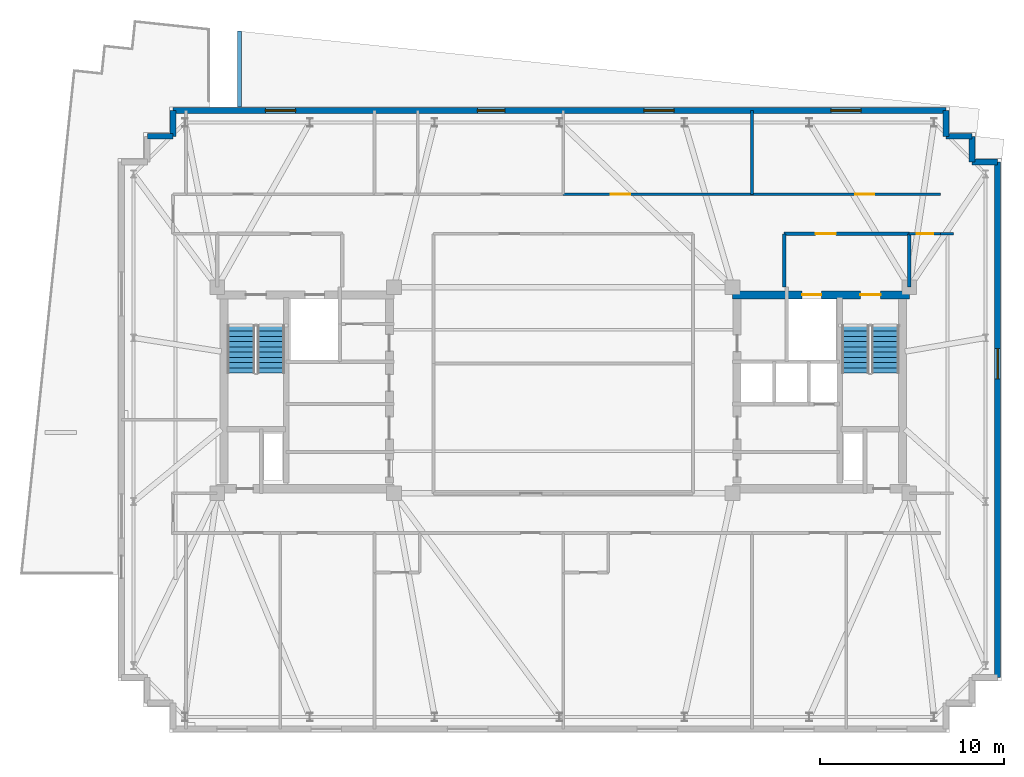
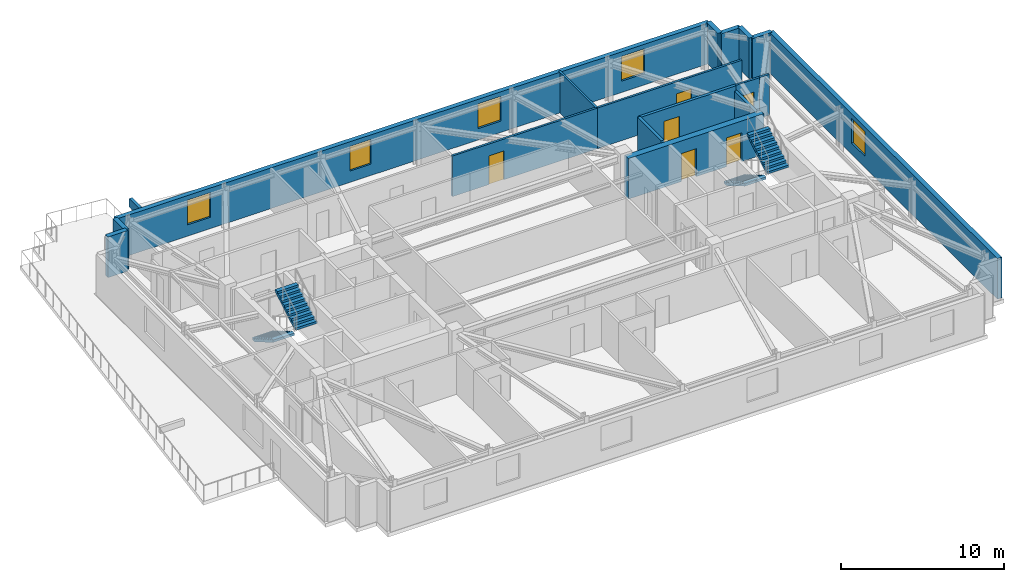
# One storey, part 8 of 12: 18 walls, 6 doors, 5 windows, 4 stair flights, 11 openings, 2 elements without a shape of their own.
"""IFC4 building model written with IfcOpenShell, lengths in metres."""

from ifc_helpers import new_model, si_unit, direction, frame, frame_2d, origin, place, context, subcontext, project, spatial, polyline, rectangle, outline, extrude, material, layer, layer_set, type_object, element, fill, aggregate, save


model = new_model("IFC4")

# Units and contexts
model_context = context("Model", 3, precision=1e-05, world=origin(), true_north=direction((0.0, 1.0)))
body_context = subcontext(model_context, "Body", "Model", "MODEL_VIEW")
ifc_project = project(units=[si_unit("LENGTHUNIT", "METRE"), si_unit("AREAUNIT", "SQUARE_METRE"), si_unit("VOLUMEUNIT", "CUBIC_METRE"), si_unit("PLANEANGLEUNIT", "RADIAN"), si_unit("MASSUNIT", "GRAM", prefix="KILO")], contexts=[model_context])

# Site, building, storey
site_placement = place(None, origin())
site = spatial("IfcSite", under=ifc_project, at=site_placement, CompositionType="ELEMENT")
building_placement = place(site_placement, origin())
building = spatial("IfcBuilding", under=site, at=building_placement, Name="Qobustan Lattice House", CompositionType="ELEMENT")
storey_placement = place(building_placement, frame((0.0, 0.0, 228.300048828125)))
storey = spatial("IfcBuildingStorey", under=building, at=storey_placement, Name="L64", CompositionType="ELEMENT", Elevation=228.300048828125)

# Wall, openings, doors
ifc_material_1 = material(Name="Concrete C50/60", Category="concrete")
ifc_layer_1 = layer(ifc_material_1, 0.43994140625)
ifc_layer_set_1 = layer_set([ifc_layer_1], Name="Concrete C50/60")
wall_type_1 = type_object("IfcWallType", Name="WAL-CORE-440", PredefinedType="SHEAR", material=ifc_layer_set_1)
wall_1_placement = place(storey_placement, frame((9.199951171875, 5.179931640625, 0.0), z_axis=(0.0, 0.0, 1.0), x_axis=(1.0, 0.0, 0.0)))
wall_1 = element("IfcWall", 1, at=wall_1_placement, inside=storey, type_object=wall_type_1, Name="L64 split-core shear wall CE-N", PredefinedType="SHEAR", context=body_context, shape_type="SweptSolid", body=[
    extrude(rectangle(XDim=9.60009765625, YDim=0.43994140625, at=frame_2d((4.800048828125, 0.0))), origin(), (0.0, 0.0, 1.0), 3.0400390625),
])
opening_1_placement = place(wall_1_placement, frame((6.949951171875, 0.0, 0.0)))
opening_1 = element("IfcOpeningElement", 2, at=opening_1_placement, cuts=wall_1, Name="Opening SD-01", PredefinedType="OPENING", context=body_context, shape_type="SweptSolid", body=[
    extrude(rectangle(XDim=1.10009765625, YDim=2.14990234375, at=frame_2d((0.550048828125, 1.074951171875))), frame((0.0, 0.22998046875, 0.0), z_axis=(0.0, -1.0, 0.0), x_axis=(1.0, 0.0, 0.0)), (0.0, 0.0, 1.0), 0.4599609375),
])
opening_2_placement = place(wall_1_placement, frame((3.77490234375, 0.0, 0.0)))
opening_2 = element("IfcOpeningElement", 3, at=opening_2_placement, cuts=wall_1, Name="Opening LD-01", PredefinedType="OPENING", context=body_context, shape_type="SweptSolid", body=[
    extrude(rectangle(XDim=1.050048828125, YDim=2.10009765625, at=frame_2d((0.52490234375, 1.050048828125))), frame((0.0, 0.22998046875, 0.0), z_axis=(0.0, -1.0, 0.0), x_axis=(1.0, 0.0, 0.0)), (0.0, 0.0, 1.0), 0.4599609375),
])
ifc_material_2 = material(Name="Persian walnut timber and steel frame door", Category="steel")
door_type_1 = type_object("IfcDoorType", Name="DOR-LIFT-LD-1050x2100", OperationType="NOTDEFINED", PredefinedType="DOOR", material=ifc_material_2)
door_1_placement = place(opening_2_placement, origin())
door_1 = element("IfcDoor", 4, at=door_1_placement, inside=storey, type_object=door_type_1, Name="L64 firefighting lift FF-E landing door", OperationType="DOUBLE_DOOR_SLIDING", OverallHeight=2.10009765625, OverallWidth=1.050048828125, PredefinedType="DOOR", context=body_context, shape_type="SweptSolid", body=[
    extrude(rectangle(XDim=1.050048828125, YDim=2.10009765625, at=frame_2d((0.52490234375, 1.050048828125))), frame((0.0, 0.02490234375, 0.0), z_axis=(0.0, -1.0, 0.0), x_axis=(1.0, 0.0, 0.0)), (0.0, 0.0, 1.0), 0.050048828125),
])
fill(opening_2, door_1)
ifc_material_3 = material(Name="Persian walnut timber and steel frame door", Category="steel")
door_type_2 = type_object("IfcDoorType", Name="DOR-STAIR-FD-1100x2150", OperationType="NOTDEFINED", PredefinedType="DOOR", material=ifc_material_3)
door_2_placement = place(opening_1_placement, origin())
door_2 = element("IfcDoor", 5, at=door_2_placement, inside=storey, type_object=door_type_2, Name="L64 exit stair ST-E1 fire door", OperationType="SINGLE_SWING_RIGHT", OverallHeight=2.14990234375, OverallWidth=1.10009765625, PredefinedType="DOOR", context=body_context, shape_type="SweptSolid", body=[
    extrude(rectangle(XDim=1.10009765625, YDim=2.14990234375, at=frame_2d((0.550048828125, 1.074951171875))), frame((0.0, 0.02490234375, 0.0), z_axis=(0.0, -1.0, 0.0), x_axis=(1.0, 0.0, 0.0)), (0.0, 0.0, 1.0), 0.050048828125),
])
fill(opening_1, door_2)

# Walls
ifc_material_4 = material(Name="Precast concrete C40/50", Category="concrete")
ifc_layer_2 = layer(ifc_material_4, 0.320068359375)
ifc_layer_set_2 = layer_set([ifc_layer_2], Name="Precast concrete C40/50")
wall_type_2 = type_object("IfcWallType", Name="WAL-EXT-STONE-320", PredefinedType="SOLIDWALL", material=ifc_layer_set_2)
wall_2_placement = place(storey_placement, frame((-22.60009765625, 13.800048828125, 0.0), z_axis=(0.0, 0.0, 1.0), x_axis=(1.0, 0.0, 0.0)))
element("IfcWall", 6, at=wall_2_placement, inside=storey, type_object=wall_type_2, Name="L64 exterior limestone-clad wall 8", PredefinedType="SOLIDWALL", context=body_context, shape_type="SweptSolid", body=[
    extrude(rectangle(XDim=1.400146484375, YDim=0.320068359375, at=frame_2d((0.7001953125, 0.0))), origin(), (0.0, 0.0, 1.0), 3.0400390625),
])
wall_3_placement = place(storey_placement, frame((-21.199951171875, 13.800048828125, 0.0), z_axis=(0.0, 0.0, 1.0), x_axis=(0.0, 1.0, 0.0)))
element("IfcWall", 7, at=wall_3_placement, inside=storey, type_object=wall_type_2, Name="L64 exterior limestone-clad wall 9", PredefinedType="SOLIDWALL", context=body_context, shape_type="SweptSolid", body=[
    extrude(rectangle(XDim=1.39990234375, YDim=0.320068359375, at=frame_2d((0.699951171875, 0.0))), origin(), (0.0, 0.0, 1.0), 3.0400390625),
])

# Wall, openings, windows
wall_4_placement = place(storey_placement, frame((-21.199951171875, 15.199951171875, 0.0), z_axis=(0.0, 0.0, 1.0), x_axis=(1.0, 0.0, 0.0)))
wall_4 = element("IfcWall", 8, at=wall_4_placement, inside=storey, type_object=wall_type_2, Name="L64 exterior limestone-clad wall 10", PredefinedType="SOLIDWALL", context=body_context, shape_type="SweptSolid", body=[
    extrude(rectangle(XDim=42.0, YDim=0.320068359375, at=frame_2d((21.0, 0.0))), origin(), (0.0, 0.0, 1.0), 3.0400390625),
])
opening_3_placement = place(wall_4_placement, frame((5.014892578125, 0.0, 0.85009765625)))
opening_3 = element("IfcOpeningElement", 9, at=opening_3_placement, cuts=wall_4, Name="Opening WN-09", PredefinedType="OPENING", context=body_context, shape_type="SweptSolid", body=[
    extrude(rectangle(XDim=1.64990234375, YDim=1.85009765625, at=frame_2d((0.824951171875, 0.925048828125))), frame((0.0, 0.169921875, 0.0), z_axis=(0.0, -1.0, 0.0), x_axis=(1.0, 0.0, 0.0)), (0.0, 0.0, 1.0), 0.340087890625),
])
opening_4_placement = place(wall_4_placement, frame((16.530029296875, 0.0, 0.85009765625)))
opening_4 = element("IfcOpeningElement", 10, at=opening_4_placement, cuts=wall_4, Name="Opening WN-01", PredefinedType="OPENING", context=body_context, shape_type="SweptSolid", body=[
    extrude(rectangle(XDim=1.5, YDim=1.85009765625, at=frame_2d((0.75, 0.925048828125))), frame((0.0, 0.169921875, 0.0), z_axis=(0.0, -1.0, 0.0), x_axis=(1.0, 0.0, 0.0)), (0.0, 0.0, 1.0), 0.340087890625),
])
opening_5_placement = place(wall_4_placement, frame((25.574951171875, 0.0, 0.85009765625)))
opening_5 = element("IfcOpeningElement", 11, at=opening_5_placement, cuts=wall_4, Name="Opening WN-09", PredefinedType="OPENING", context=body_context, shape_type="SweptSolid", body=[
    extrude(rectangle(XDim=1.64990234375, YDim=1.85009765625, at=frame_2d((0.824951171875, 0.925048828125))), frame((0.0, 0.169921875, 0.0), z_axis=(0.0, -1.0, 0.0), x_axis=(1.0, 0.0, 0.0)), (0.0, 0.0, 1.0), 0.340087890625),
])
opening_6_placement = place(wall_4_placement, frame((35.735107421875, 0.0, 0.85009765625)))
opening_6 = element("IfcOpeningElement", 12, at=opening_6_placement, cuts=wall_4, Name="Opening WN-09", PredefinedType="OPENING", context=body_context, shape_type="SweptSolid", body=[
    extrude(rectangle(XDim=1.64990234375, YDim=1.85009765625, at=frame_2d((0.824951171875, 0.925048828125))), frame((0.0, 0.169921875, 0.0), z_axis=(0.0, -1.0, 0.0), x_axis=(1.0, 0.0, 0.0)), (0.0, 0.0, 1.0), 0.340087890625),
])
ifc_material_5 = material(Name="Double-glazed low-E aluminium window", Category="aluminium")
window_type_1 = type_object("IfcWindowType", Name="WIN-BED-1500x1850", PartitioningType="SINGLE_PANEL", PredefinedType="WINDOW", material=ifc_material_5)
window_1_placement = place(opening_4_placement, origin())
window_1 = element("IfcWindow", 13, at=window_1_placement, inside=storey, type_object=window_type_1, Name="L64 Laundry utility room window", OverallHeight=1.85009765625, OverallWidth=1.5, PartitioningType="SINGLE_PANEL", PredefinedType="WINDOW", context=body_context, shape_type="SweptSolid", body=[
    extrude(rectangle(XDim=1.5, YDim=1.85009765625, at=frame_2d((0.75, 0.925048828125))), frame((0.0, 0.030029296875, 0.0), z_axis=(0.0, -1.0, 0.0), x_axis=(1.0, 0.0, 0.0)), (0.0, 0.0, 1.0), 0.06005859375),
])
fill(opening_4, window_1)
ifc_material_6 = material(Name="Double-glazed low-E aluminium window", Category="aluminium")
window_type_2 = type_object("IfcWindowType", Name="WIN-STU-1650x1850", PartitioningType="SINGLE_PANEL", PredefinedType="WINDOW", material=ifc_material_6)
window_2_placement = place(opening_3_placement, origin())
window_2 = element("IfcWindow", 14, at=window_2_placement, inside=storey, type_object=window_type_2, Name="L64 Focus study room N1 window", OverallHeight=1.85009765625, OverallWidth=1.64990234375, PartitioningType="SINGLE_PANEL", PredefinedType="WINDOW", context=body_context, shape_type="SweptSolid", body=[
    extrude(rectangle(XDim=1.64990234375, YDim=1.85009765625, at=frame_2d((0.824951171875, 0.925048828125))), frame((0.0, 0.030029296875, 0.0), z_axis=(0.0, -1.0, 0.0), x_axis=(1.0, 0.0, 0.0)), (0.0, 0.0, 1.0), 0.06005859375),
])
fill(opening_3, window_2)
window_3_placement = place(opening_5_placement, origin())
window_3 = element("IfcWindow", 15, at=window_3_placement, inside=storey, type_object=window_type_2, Name="L64 Focus study room N3 window", OverallHeight=1.85009765625, OverallWidth=1.64990234375, PartitioningType="SINGLE_PANEL", PredefinedType="WINDOW", context=body_context, shape_type="SweptSolid", body=[
    extrude(rectangle(XDim=1.64990234375, YDim=1.85009765625, at=frame_2d((0.824951171875, 0.925048828125))), frame((0.0, 0.030029296875, 0.0), z_axis=(0.0, -1.0, 0.0), x_axis=(1.0, 0.0, 0.0)), (0.0, 0.0, 1.0), 0.06005859375),
])
fill(opening_5, window_3)
window_4_placement = place(opening_6_placement, origin())
window_4 = element("IfcWindow", 16, at=window_4_placement, inside=storey, type_object=window_type_2, Name="L64 Focus study room N4 window", OverallHeight=1.85009765625, OverallWidth=1.64990234375, PartitioningType="SINGLE_PANEL", PredefinedType="WINDOW", context=body_context, shape_type="SweptSolid", body=[
    extrude(rectangle(XDim=1.64990234375, YDim=1.85009765625, at=frame_2d((0.824951171875, 0.925048828125))), frame((0.0, 0.030029296875, 0.0), z_axis=(0.0, -1.0, 0.0), x_axis=(1.0, 0.0, 0.0)), (0.0, 0.0, 1.0), 0.06005859375),
])
fill(opening_6, window_4)

# Walls
for number, where, z_axis, x_axis, name in (
    (17, (20.800048828125, 15.199951171875, 0.0), (0.0, 0.0, 1.0), (0.0, -1.0, 0.0), "L64 exterior limestone-clad wall 11"),
    (18, (20.800048828125, 13.800048828125, 0.0), (0.0, 0.0, 1.0), (1.0, 0.0, 0.0), "L64 exterior limestone-clad wall 12"),
):
    element("IfcWall", number, at=place(storey_placement, frame(where, z_axis=z_axis, x_axis=x_axis)), inside=storey, type_object=wall_type_2, Name=name, PredefinedType="SOLIDWALL", context=body_context, shape_type="SweptSolid", body=[
        extrude(rectangle(XDim=1.39990234375, YDim=0.320068359375, at=frame_2d((0.699951171875, 0.0))), origin(), (0.0, 0.0, 1.0), 3.0400390625),
    ])
for number, where, z_axis, x_axis, name in (
    (19, (22.199951171875, 13.800048828125, 0.0), (0.0, 0.0, 1.0), (0.0, -1.0, 0.0), "L64 exterior limestone-clad wall 13"),
    (20, (22.199951171875, 12.39990234375, 0.0), (0.0, 0.0, 1.0), (1.0, 0.0, 0.0), "L64 exterior limestone-clad wall 14"),
):
    element("IfcWall", number, at=place(storey_placement, frame(where, z_axis=z_axis, x_axis=x_axis)), inside=storey, type_object=wall_type_2, Name=name, PredefinedType="SOLIDWALL", context=body_context, shape_type="SweptSolid", body=[
        extrude(rectangle(XDim=1.400146484375, YDim=0.320068359375, at=frame_2d((0.7001953125, 0.0))), origin(), (0.0, 0.0, 1.0), 3.0400390625),
    ])

# Wall, opening, window
wall_5_placement = place(storey_placement, frame((23.60009765625, 12.39990234375, 0.0), z_axis=(0.0, 0.0, 1.0), x_axis=(0.0, -1.0, 0.0)))
wall_5 = element("IfcWall", 21, at=wall_5_placement, inside=storey, type_object=wall_type_2, Name="L64 exterior limestone-clad wall 15", PredefinedType="SOLIDWALL", context=body_context, shape_type="SweptSolid", body=[
    extrude(rectangle(XDim=28.0, YDim=0.320068359375, at=frame_2d((14.0, 0.0))), origin(), (0.0, 0.0, 1.0), 3.0400390625),
])
opening_7_placement = place(wall_5_placement, frame((10.135009765625, 0.0, 0.85009765625)))
opening_7 = element("IfcOpeningElement", 22, at=opening_7_placement, cuts=wall_5, Name="Opening WN-09", PredefinedType="OPENING", context=body_context, shape_type="SweptSolid", body=[
    extrude(rectangle(XDim=1.64990234375, YDim=1.85009765625, at=frame_2d((0.824951171875, 0.925048828125))), frame((0.0, 0.169921875, 0.0), z_axis=(0.0, -1.0, 0.0), x_axis=(1.0, 0.0, 0.0)), (0.0, 0.0, 1.0), 0.340087890625),
])
window_5_placement = place(opening_7_placement, origin())
window_5 = element("IfcWindow", 23, at=window_5_placement, inside=storey, type_object=window_type_2, Name="L64 Communal study lounge window", OverallHeight=1.85009765625, OverallWidth=1.64990234375, PartitioningType="SINGLE_PANEL", PredefinedType="WINDOW", context=body_context, shape_type="SweptSolid", body=[
    extrude(rectangle(XDim=1.64990234375, YDim=1.85009765625, at=frame_2d((0.824951171875, 0.925048828125))), frame((0.0, 0.030029296875, 0.0), z_axis=(0.0, -1.0, 0.0), x_axis=(1.0, 0.0, 0.0)), (0.0, 0.0, 1.0), 0.06005859375),
])
fill(opening_7, window_5)

# Wall
ifc_material_7 = material(Name="Precast concrete C40/50", Category="concrete")
ifc_layer_3 = layer(ifc_material_7, 0.219970703125)
ifc_layer_set_3 = layer_set([ifc_layer_3], Name="Precast concrete C40/50")
wall_type_3 = type_object("IfcWallType", Name="WAL-PARAPET-220", PredefinedType="PARAPET", material=ifc_layer_set_3)
wall_6_placement = place(storey_placement, frame((-17.60009765625, 19.515625, 0.0), z_axis=(0.0, 0.0, 1.0), x_axis=(0.0, -1.0, 0.0)))
element("IfcWall", 24, at=wall_6_placement, inside=storey, type_object=wall_type_3, Name="L64 maintenance roof parapet 1", PredefinedType="PARAPET", context=body_context, shape_type="SweptSolid", body=[
    extrude(rectangle(XDim=4.11572265625, YDim=0.219970703125, at=frame_2d((2.057861328125, 0.0))), origin(), (0.0, 0.0, 1.0), 0.64990234375),
])

# Wall, opening, door
ifc_material_8 = material(Name="Acoustic twin-stud gypsum partition", Category="gypsum")
ifc_layer_4 = layer(ifc_material_8, 0.14990234375)
ifc_layer_set_4 = layer_set([ifc_layer_4], Name="Acoustic twin-stud gypsum partition")
wall_type_4 = type_object("IfcWallType", Name="WAL-PART-150", PredefinedType="PARTITIONING", material=ifc_layer_set_4)
wall_7_placement = place(storey_placement, frame((20.5, 8.5, 0.0), z_axis=(0.0, 0.0, 1.0), x_axis=(-1.0, 0.0, 0.0)))
wall_7 = element("IfcWall", 25, at=wall_7_placement, inside=storey, type_object=wall_type_4, Name="L64 interior partition 37", PredefinedType="PARTITIONING", context=body_context, shape_type="SweptSolid", body=[
    extrude(rectangle(XDim=1.699951171875, YDim=0.14990234375, at=frame_2d((0.85009765625, 0.0))), origin(), (0.0, 0.0, 1.0), 3.0400390625),
])
opening_8_placement = place(wall_7_placement, frame((0.39990234375, 0.0, 0.0)))
opening_8 = element("IfcOpeningElement", 26, at=opening_8_placement, cuts=wall_7, Name="Opening WD-01", PredefinedType="OPENING", context=body_context, shape_type="SweptSolid", body=[
    extrude(rectangle(XDim=0.89990234375, YDim=2.10009765625, at=frame_2d((0.449951171875, 1.050048828125))), frame((0.0, 0.0849609375, 0.0), z_axis=(0.0, -1.0, 0.0), x_axis=(1.0, 0.0, 0.0)), (0.0, 0.0, 1.0), 0.169921875),
])
ifc_material_9 = material(Name="Persian walnut timber and steel frame door", Category="steel")
door_type_3 = type_object("IfcDoorType", Name="DOR-WET-900x2100", OperationType="NOTDEFINED", PredefinedType="DOOR", material=ifc_material_9)
door_3_placement = place(opening_8_placement, origin())
door_3 = element("IfcDoor", 27, at=door_3_placement, inside=storey, type_object=door_type_3, Name="L64 North-east floor corridor to Communal study lounge door", OperationType="SINGLE_SWING_RIGHT", OverallHeight=2.10009765625, OverallWidth=0.89990234375, PredefinedType="DOOR", context=body_context, shape_type="SweptSolid", body=[
    extrude(rectangle(XDim=0.89990234375, YDim=2.10009765625, at=frame_2d((0.449951171875, 1.050048828125))), frame((0.0, 0.02490234375, 0.0), z_axis=(0.0, -1.0, 0.0), x_axis=(1.0, 0.0, 0.0)), (0.0, 0.0, 1.0), 0.050048828125),
])
fill(opening_8, door_3)

# Wall
wall_8_placement = place(storey_placement, frame((21.199951171875, 8.5, 0.0), z_axis=(0.0, 0.0, 1.0), x_axis=(-1.0, 0.0, 0.0)))
element("IfcWall", 28, at=wall_8_placement, inside=storey, type_object=wall_type_4, Name="L64 interior partition 38", PredefinedType="PARTITIONING", context=body_context, shape_type="SweptSolid", body=[
    extrude(rectangle(XDim=0.699951171875, YDim=0.14990234375, at=frame_2d((0.35009765625, 0.0))), origin(), (0.0, 0.0, 1.0), 3.0400390625),
])

# Wall, opening, door
wall_9_placement = place(storey_placement, frame((0.0, 10.64990234375, 0.0), z_axis=(0.0, 0.0, 1.0), x_axis=(1.0, 0.0, 0.0)))
wall_9 = element("IfcWall", 29, at=wall_9_placement, inside=storey, type_object=wall_type_4, Name="L64 interior partition 39", PredefinedType="PARTITIONING", context=body_context, shape_type="SweptSolid", body=[
    extrude(rectangle(XDim=10.25, YDim=0.14990234375, at=frame_2d((5.125, 0.0))), origin(), (0.0, 0.0, 1.0), 3.0400390625),
])
opening_9_placement = place(wall_9_placement, frame((2.590087890625, 0.0, 0.0)))
opening_9 = element("IfcOpeningElement", 30, at=opening_9_placement, cuts=wall_9, Name="Opening ID-02", PredefinedType="OPENING", context=body_context, shape_type="SweptSolid", body=[
    extrude(rectangle(XDim=1.050048828125, YDim=2.14990234375, at=frame_2d((0.52490234375, 1.074951171875))), frame((0.0, 0.0849609375, 0.0), z_axis=(0.0, -1.0, 0.0), x_axis=(1.0, 0.0, 0.0)), (0.0, 0.0, 1.0), 0.169921875),
])
ifc_material_10 = material(Name="Persian walnut timber and steel frame door", Category="steel")
door_type_4 = type_object("IfcDoorType", Name="DOR-STUDY-1050x2150", OperationType="NOTDEFINED", PredefinedType="DOOR", material=ifc_material_10)
door_4_placement = place(opening_9_placement, origin())
door_4 = element("IfcDoor", 31, at=door_4_placement, inside=storey, type_object=door_type_4, Name="L64 North-east floor corridor to Focus study room N3 door", OperationType="SINGLE_SWING_LEFT", OverallHeight=2.14990234375, OverallWidth=1.050048828125, PredefinedType="DOOR", context=body_context, shape_type="SweptSolid", body=[
    extrude(rectangle(XDim=1.050048828125, YDim=2.14990234375, at=frame_2d((0.52490234375, 1.074951171875))), frame((0.0, 0.02490234375, 0.0), z_axis=(0.0, -1.0, 0.0), x_axis=(1.0, 0.0, 0.0)), (0.0, 0.0, 1.0), 0.050048828125),
])
fill(opening_9, door_4)

wall_10_placement = place(storey_placement, frame((10.25, 10.64990234375, 0.0), z_axis=(0.0, 0.0, 1.0), x_axis=(1.0, 0.0, 0.0)))
wall_10 = element("IfcWall", 32, at=wall_10_placement, inside=storey, type_object=wall_type_4, Name="L64 interior partition 40", PredefinedType="PARTITIONING", context=body_context, shape_type="SweptSolid", body=[
    extrude(rectangle(XDim=10.25, YDim=0.14990234375, at=frame_2d((5.125, 0.0))), origin(), (0.0, 0.0, 1.0), 3.0400390625),
])
opening_10_placement = place(wall_10_placement, frame((5.60498046875, 0.0, 0.0)))
opening_10 = element("IfcOpeningElement", 33, at=opening_10_placement, cuts=wall_10, Name="Opening ID-02", PredefinedType="OPENING", context=body_context, shape_type="SweptSolid", body=[
    extrude(rectangle(XDim=1.050048828125, YDim=2.14990234375, at=frame_2d((0.52490234375, 1.074951171875))), frame((0.0, 0.0849609375, 0.0), z_axis=(0.0, -1.0, 0.0), x_axis=(1.0, 0.0, 0.0)), (0.0, 0.0, 1.0), 0.169921875),
])
door_5_placement = place(opening_10_placement, origin())
door_5 = element("IfcDoor", 34, at=door_5_placement, inside=storey, type_object=door_type_4, Name="L64 North-east floor corridor to Focus study room N4 door", OperationType="SINGLE_SWING_RIGHT", OverallHeight=2.14990234375, OverallWidth=1.050048828125, PredefinedType="DOOR", context=body_context, shape_type="SweptSolid", body=[
    extrude(rectangle(XDim=1.050048828125, YDim=2.14990234375, at=frame_2d((0.52490234375, 1.074951171875))), frame((0.0, 0.02490234375, 0.0), z_axis=(0.0, -1.0, 0.0), x_axis=(1.0, 0.0, 0.0)), (0.0, 0.0, 1.0), 0.050048828125),
])
fill(opening_10, door_5)

# Wall
wall_11_placement = place(storey_placement, frame((10.25, 15.199951171875, 0.0), z_axis=(0.0, 0.0, 1.0), x_axis=(0.0, -1.0, 0.0)))
element("IfcWall", 35, at=wall_11_placement, inside=storey, type_object=wall_type_4, Name="L64 interior partition 68", PredefinedType="PARTITIONING", context=body_context, shape_type="SweptSolid", body=[
    extrude(rectangle(XDim=4.550048828125, YDim=0.14990234375, at=frame_2d((2.27490234375, 0.0))), origin(), (0.0, 0.0, 1.0), 3.0400390625),
])

# Wall, opening, door
ifc_material_11 = material(Name="Two-hour gypsum fireboard acoustic partition", Category="gypsum")
ifc_layer_5 = layer(ifc_material_11, 0.199951171875)
ifc_layer_set_5 = layer_set([ifc_layer_5], Name="Two-hour gypsum fireboard acoustic partition")
wall_type_5 = type_object("IfcWallType", Name="WAL-PROT-200", PredefinedType="PARTITIONING", material=ifc_layer_set_5)
wall_12_placement = place(storey_placement, frame((18.800048828125, 8.5, 0.0), z_axis=(0.0, 0.0, 1.0), x_axis=(-1.0, 0.0, 0.0)))
wall_12 = element("IfcWall", 36, at=wall_12_placement, inside=storey, type_object=wall_type_5, Name="L64 interior partition 17", PredefinedType="PARTITIONING", context=body_context, shape_type="SweptSolid", body=[
    extrude(rectangle(XDim=6.800048828125, YDim=0.199951171875, at=frame_2d((3.39990234375, 0.0))), origin(), (0.0, 0.0, 1.0), 3.0400390625),
])
opening_11_placement = place(wall_12_placement, frame((3.985107421875, 0.0, 0.0)))
opening_11 = element("IfcOpeningElement", 37, at=opening_11_placement, cuts=wall_12, Name="Opening SD-01", PredefinedType="OPENING", context=body_context, shape_type="SweptSolid", body=[
    extrude(rectangle(XDim=1.10009765625, YDim=2.14990234375, at=frame_2d((0.550048828125, 1.074951171875))), frame((0.0, 0.10986328125, 0.0), z_axis=(0.0, -1.0, 0.0), x_axis=(1.0, 0.0, 0.0)), (0.0, 0.0, 1.0), 0.219970703125),
])
door_6_placement = place(opening_11_placement, origin())
door_6 = element("IfcDoor", 38, at=door_6_placement, inside=storey, type_object=door_type_2, Name="L64 East firefighting lift lobby to North-east floor corridor door", OperationType="SINGLE_SWING_LEFT", OverallHeight=2.14990234375, OverallWidth=1.10009765625, PredefinedType="DOOR", context=body_context, shape_type="SweptSolid", body=[
    extrude(rectangle(XDim=1.10009765625, YDim=2.14990234375, at=frame_2d((0.550048828125, 1.074951171875))), frame((0.0, 0.02490234375, 0.0), z_axis=(0.0, -1.0, 0.0), x_axis=(1.0, 0.0, 0.0)), (0.0, 0.0, 1.0), 0.050048828125),
])
fill(opening_11, door_6)

# Walls
wall_13_placement = place(storey_placement, frame((12.0, 8.5, 0.0), z_axis=(0.0, 0.0, 1.0), x_axis=(0.0, -1.0, 0.0)))
element("IfcWall", 39, at=wall_13_placement, inside=storey, type_object=wall_type_5, Name="L64 interior partition 18", PredefinedType="PARTITIONING", context=body_context, shape_type="SweptSolid", body=[
    extrude(rectangle(XDim=2.89990234375, YDim=0.199951171875, at=frame_2d((1.449951171875, 0.0))), origin(), (0.0, 0.0, 1.0), 3.0400390625),
])
wall_14_placement = place(storey_placement, frame((18.800048828125, 5.60009765625, 0.0), z_axis=(0.0, 0.0, 1.0), x_axis=(0.0, 1.0, 0.0)))
element("IfcWall", 40, at=wall_14_placement, inside=storey, type_object=wall_type_5, Name="L64 interior partition 19", PredefinedType="PARTITIONING", context=body_context, shape_type="SweptSolid", body=[
    extrude(rectangle(XDim=2.89990234375, YDim=0.199951171875, at=frame_2d((1.449951171875, 0.0))), origin(), (0.0, 0.0, 1.0), 2.6650390625),
])

# Stair, stair flights
ifc_material_12 = material(Name="Concrete C40/50", Category="concrete")
stair_type = type_object("IfcStairType", Name="STR-CORE-DOGLEG", PredefinedType="HALF_TURN_STAIR", material=ifc_material_12)
stair_1_placement = place(storey_placement, origin())
stair_1 = element("IfcStair", 41, at=stair_1_placement, inside=storey, type_object=stair_type, Name="L64 West protected exit stair ST-W1", PredefinedType="HALF_TURN_STAIR")
ifc_material_13 = material(Name="Concrete C40/50", Category="concrete")
stair_flight_type = type_object("IfcStairFlightType", Name="SFL-RC-1500", PredefinedType="STRAIGHT", material=ifc_material_13)
stair_flight_1_placement = place(storey_placement, frame((-17.5, 3.5, 0.0), z_axis=(0.0, 0.0, 1.0), x_axis=(0.0, -1.0, 0.0)))
stair_flight_1 = element("IfcStairFlight", 42, at=stair_flight_1_placement, type_object=stair_flight_type, Name="ST-W1 flight 1", NumberOfRisers=10, NumberOfTreads=9, PredefinedType="STRAIGHT", RiserHeight=0.1675, TreadLength=0.285, context=body_context, shape_type="SweptSolid", body=[
    extrude(outline(polyline([(0.0, 0.0), (0.0, 0.16748046875), (0.284912109375, 0.16748046875), (0.284912109375, 0.3349609375), (0.570068359375, 0.3349609375), (0.570068359375, 0.50244140625), (0.85498046875, 0.50244140625), (0.85498046875, 0.669921875), (1.139892578125, 0.669921875), (1.139892578125, 0.83740234375), (1.425048828125, 0.83740234375), (1.425048828125, 1.0048828125), (1.7099609375, 1.0048828125), (1.7099609375, 1.172607421875), (1.9951171875, 1.172607421875), (1.9951171875, 1.340087890625), (2.280029296875, 1.340087890625), (2.280029296875, 1.507568359375), (2.56494140625, 1.507568359375), (2.56494140625, 1.675048828125), (2.56494140625, 1.333740234375), (0.2958984375, 0.0), (0.0, 0.0)])), frame((0.0, 0.75, 0.0), z_axis=(0.0, -1.0, 0.0), x_axis=(1.0, 0.0, 0.0)), (0.0, 0.0, 1.0), 1.5),
])
stair_flight_2_placement = place(storey_placement, frame((-15.8798828125, 0.93505859375, 1.675048828125), z_axis=(0.0, 0.0, 1.0), x_axis=(0.0, 1.0, 0.0)))
stair_flight_2 = element("IfcStairFlight", 43, at=stair_flight_2_placement, type_object=stair_flight_type, Name="ST-W1 flight 2", NumberOfRisers=10, NumberOfTreads=9, PredefinedType="STRAIGHT", RiserHeight=0.1675, TreadLength=0.285, context=body_context, shape_type="SweptSolid", body=[
    extrude(outline(polyline([(0.0, 0.0), (0.0, 0.16748046875), (0.284912109375, 0.16748046875), (0.284912109375, 0.3349609375), (0.570068359375, 0.3349609375), (0.570068359375, 0.50244140625), (0.85498046875, 0.50244140625), (0.85498046875, 0.669921875), (1.139892578125, 0.669921875), (1.139892578125, 0.83740234375), (1.425048828125, 0.83740234375), (1.425048828125, 1.0048828125), (1.7099609375, 1.0048828125), (1.7099609375, 1.172607421875), (1.9951171875, 1.172607421875), (1.9951171875, 1.340087890625), (2.280029296875, 1.340087890625), (2.280029296875, 1.507568359375), (2.56494140625, 1.507568359375), (2.56494140625, 1.675048828125), (2.56494140625, 1.333740234375), (0.2958984375, 0.0), (0.0, 0.0)])), frame((0.0, 0.75, 0.0), z_axis=(0.0, -1.0, 0.0), x_axis=(1.0, 0.0, 0.0)), (0.0, 0.0, 1.0), 1.5),
])
aggregate(stair_1, [stair_flight_1, stair_flight_2])

stair_2_placement = place(storey_placement, origin())
stair_2 = element("IfcStair", 44, at=stair_2_placement, inside=storey, type_object=stair_type, Name="L64 East protected exit stair ST-E1", PredefinedType="HALF_TURN_STAIR")
stair_flight_3_placement = place(storey_placement, frame((15.8798828125, 3.5, 0.0), z_axis=(0.0, 0.0, 1.0), x_axis=(0.0, -1.0, 0.0)))
stair_flight_3 = element("IfcStairFlight", 45, at=stair_flight_3_placement, type_object=stair_flight_type, Name="ST-E1 flight 1", NumberOfRisers=10, NumberOfTreads=9, PredefinedType="STRAIGHT", RiserHeight=0.1675, TreadLength=0.285, context=body_context, shape_type="SweptSolid", body=[
    extrude(outline(polyline([(0.0, 0.0), (0.0, 0.16748046875), (0.284912109375, 0.16748046875), (0.284912109375, 0.3349609375), (0.570068359375, 0.3349609375), (0.570068359375, 0.50244140625), (0.85498046875, 0.50244140625), (0.85498046875, 0.669921875), (1.139892578125, 0.669921875), (1.139892578125, 0.83740234375), (1.425048828125, 0.83740234375), (1.425048828125, 1.0048828125), (1.7099609375, 1.0048828125), (1.7099609375, 1.172607421875), (1.9951171875, 1.172607421875), (1.9951171875, 1.340087890625), (2.280029296875, 1.340087890625), (2.280029296875, 1.507568359375), (2.56494140625, 1.507568359375), (2.56494140625, 1.675048828125), (2.56494140625, 1.333740234375), (0.2958984375, 0.0), (0.0, 0.0)])), frame((0.0, 0.75, 0.0), z_axis=(0.0, -1.0, 0.0), x_axis=(1.0, 0.0, 0.0)), (0.0, 0.0, 1.0), 1.5),
])
stair_flight_4_placement = place(storey_placement, frame((17.5, 0.93505859375, 1.675048828125), z_axis=(0.0, 0.0, 1.0), x_axis=(0.0, 1.0, 0.0)))
stair_flight_4 = element("IfcStairFlight", 46, at=stair_flight_4_placement, type_object=stair_flight_type, Name="ST-E1 flight 2", NumberOfRisers=10, NumberOfTreads=9, PredefinedType="STRAIGHT", RiserHeight=0.1675, TreadLength=0.285, context=body_context, shape_type="SweptSolid", body=[
    extrude(outline(polyline([(0.0, 0.0), (0.0, 0.16748046875), (0.284912109375, 0.16748046875), (0.284912109375, 0.3349609375), (0.570068359375, 0.3349609375), (0.570068359375, 0.50244140625), (0.85498046875, 0.50244140625), (0.85498046875, 0.669921875), (1.139892578125, 0.669921875), (1.139892578125, 0.83740234375), (1.425048828125, 0.83740234375), (1.425048828125, 1.0048828125), (1.7099609375, 1.0048828125), (1.7099609375, 1.172607421875), (1.9951171875, 1.172607421875), (1.9951171875, 1.340087890625), (2.280029296875, 1.340087890625), (2.280029296875, 1.507568359375), (2.56494140625, 1.507568359375), (2.56494140625, 1.675048828125), (2.56494140625, 1.333740234375), (0.2958984375, 0.0), (0.0, 0.0)])), frame((0.0, 0.75, 0.0), z_axis=(0.0, -1.0, 0.0), x_axis=(1.0, 0.0, 0.0)), (0.0, 0.0, 1.0), 1.5),
])
aggregate(stair_2, [stair_flight_3, stair_flight_4])

save(model, "model.ifc")
